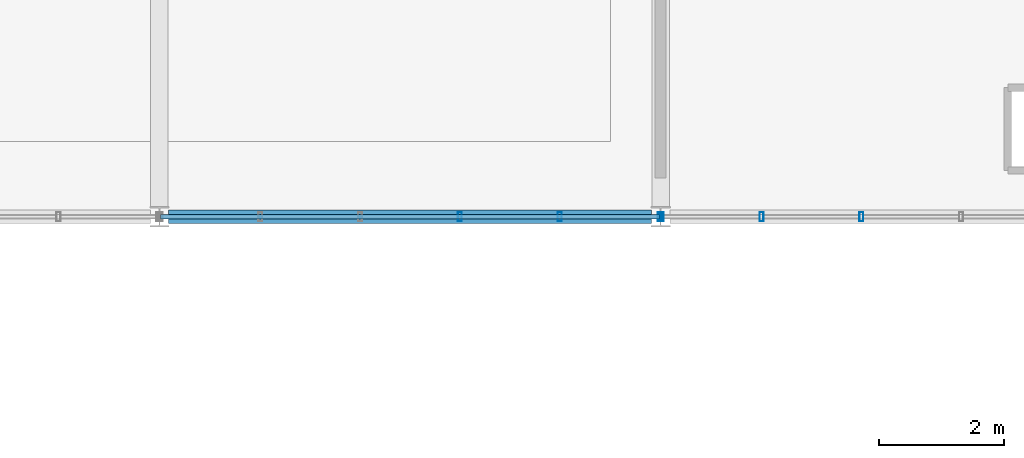
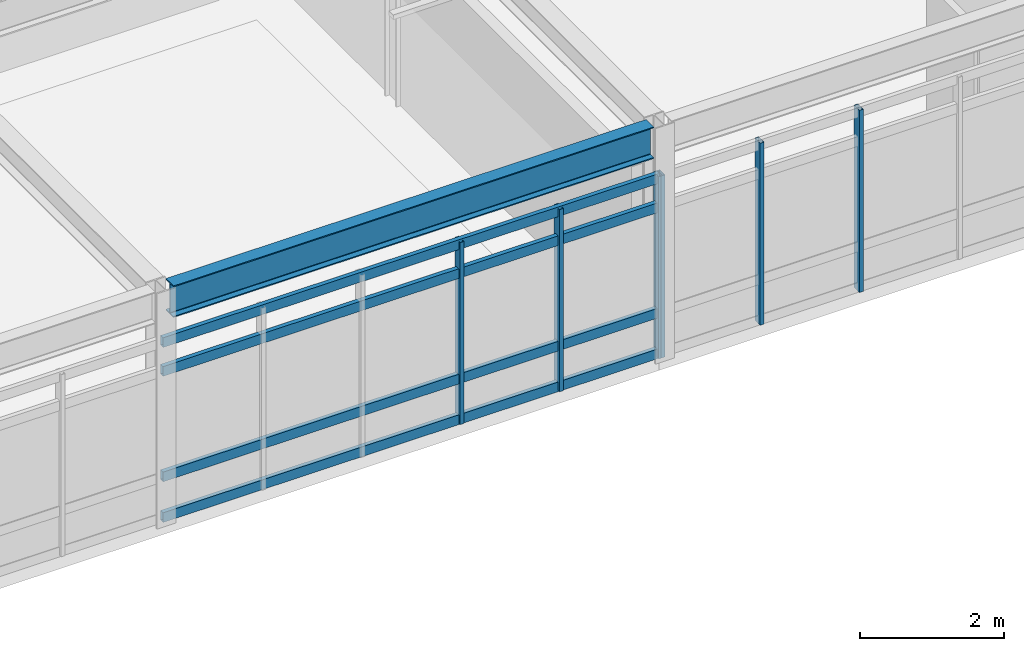
# One storey, part 50 of 85: 10 members, 1 beam, 2 elements without a shape of their own.
"""IFC4 building model written with IfcOpenShell, lengths in metres."""

from ifc_helpers import new_model, si_unit, direction, frame, origin, origin_2d, place, context, subcontext, project, spatial, hollow_rectangle, i_section, extrude, material, material_profile, profile_set, type_object, element, aggregate, save


model = new_model("IFC4")

# Units and contexts
model_context = context("Model", 3, precision=1e-05, world=origin(), true_north=direction((0.0, 1.0)))
body_context = subcontext(model_context, "Body", "Model", "MODEL_VIEW")
ifc_project = project(units=[si_unit("LENGTHUNIT", "METRE"), si_unit("AREAUNIT", "SQUARE_METRE"), si_unit("VOLUMEUNIT", "CUBIC_METRE"), si_unit("PLANEANGLEUNIT", "RADIAN"), si_unit("MASSUNIT", "GRAM", prefix="KILO")], contexts=[model_context])

# Site, building, storey
site_placement = place(None, origin())
site = spatial("IfcSite", under=ifc_project, at=site_placement, CompositionType="ELEMENT")
building_placement = place(site_placement, origin())
building = spatial("IfcBuilding", under=site, at=building_placement, Name="Zulena Civic Courthouse", CompositionType="ELEMENT")
storey_placement = place(building_placement, frame((0.0, 0.0, 25.199951171875)))
storey = spatial("IfcBuildingStorey", under=building, at=storey_placement, Name="L05", CompositionType="ELEMENT", Elevation=25.199951171875)

# Curtain wall, members
ifc_material_1 = material(Name="Double-silver low-E laminated solar-control glass", Category="glass")
curtain_wall_type = type_object("IfcCurtainWallType", Name="CW_7964x3090", PredefinedType="USERDEFINED", material=ifc_material_1)
curtain_wall_1_placement = place(storey_placement, origin())
curtain_wall_1 = element("IfcCurtainWall", 1, at=curtain_wall_1_placement, inside=storey, type_object=curtain_wall_type, Name="cw:V3:L05:3:1", ObjectType="UNITISED CURTAIN WALL", PredefinedType="USERDEFINED")
ifc_material_2 = material(Name="Bronze anodised thermally broken aluminium AA6063-T6", Category="aluminium")
ifc_material_profile_1 = material_profile(ifc_material_2, hollow_rectangle(XDim=0.06494140625, YDim=0.14990234375, WallThickness=0.00390625, at=origin_2d()), Name="CWM150X65X4")
ifc_profile_set_1 = profile_set([ifc_material_profile_1], Name="Bronze anodised thermally broken aluminium AA6063-T6")
member_type_1 = type_object("IfcMemberType", Name="CWMullion_150x65", PredefinedType="MULLION", material=ifc_profile_set_1)
member_1_placement = place(storey_placement, frame((151.20361328125, 30.800048828125, 0.0), z_axis=(0.0, 0.0, 1.0), x_axis=(1.0, 0.0, 0.0)))
member_1 = element("IfcMember", 2, at=member_1_placement, type_object=member_type_1, Name="cw:V3:L05:3:1:mull:3", PredefinedType="MULLION", context=body_context, shape_type="SweptSolid", body=[
    extrude(hollow_rectangle(XDim=0.06494140625, YDim=0.14990234375, WallThickness=0.00390625, at=origin_2d()), origin(), (0.0, 0.0, 1.0), 3.090087890625),
])
member_2_placement = place(storey_placement, frame((149.61083984375, 30.800048828125, 0.0), z_axis=(0.0, 0.0, 1.0), x_axis=(1.0, 0.0, 0.0)))
member_2 = element("IfcMember", 3, at=member_2_placement, type_object=member_type_1, Name="cw:V3:L05:3:1:mull:4", PredefinedType="MULLION", context=body_context, shape_type="SweptSolid", body=[
    extrude(hollow_rectangle(XDim=0.06494140625, YDim=0.14990234375, WallThickness=0.00390625, at=origin_2d()), origin(), (0.0, 0.0, 1.0), 3.090087890625),
])
member_3_placement = place(storey_placement, frame((148.01806640625, 30.800048828125, 0.0), z_axis=(0.0, 0.0, 1.0), x_axis=(1.0, 0.0, 0.0)))
member_3 = element("IfcMember", 4, at=member_3_placement, type_object=member_type_1, Name="cw:V3:L05:3:1:mull:5", PredefinedType="MULLION", context=body_context, shape_type="SweptSolid", body=[
    extrude(hollow_rectangle(XDim=0.06494140625, YDim=0.14990234375, WallThickness=0.00390625, at=origin_2d()), origin(), (0.0, 0.0, 1.0), 3.090087890625),
])
aggregate(curtain_wall_1, [member_1, member_2, member_3])

curtain_wall_2_placement = place(storey_placement, origin())
curtain_wall_2 = element("IfcCurtainWall", 5, at=curtain_wall_2_placement, inside=storey, type_object=curtain_wall_type, Name="cw:V3:L05:3:2", ObjectType="UNITISED CURTAIN WALL", PredefinedType="USERDEFINED")
member_4_placement = place(storey_placement, frame((147.98193359375, 30.800048828125, 0.0), z_axis=(0.0, 0.0, 1.0), x_axis=(1.0, 0.0, 0.0)))
member_4 = element("IfcMember", 6, at=member_4_placement, type_object=member_type_1, Name="cw:V3:L05:3:2:mull:0", PredefinedType="MULLION", context=body_context, shape_type="SweptSolid", body=[
    extrude(hollow_rectangle(XDim=0.06494140625, YDim=0.14990234375, WallThickness=0.00390625, at=origin_2d()), origin(), (0.0, 0.0, 1.0), 3.090087890625),
])
member_5_placement = place(storey_placement, frame((146.38916015625, 30.800048828125, 0.0), z_axis=(0.0, 0.0, 1.0), x_axis=(1.0, 0.0, 0.0)))
member_5 = element("IfcMember", 7, at=member_5_placement, type_object=member_type_1, Name="cw:V3:L05:3:2:mull:1", PredefinedType="MULLION", context=body_context, shape_type="SweptSolid", body=[
    extrude(hollow_rectangle(XDim=0.06494140625, YDim=0.14990234375, WallThickness=0.00390625, at=origin_2d()), origin(), (0.0, 0.0, 1.0), 3.090087890625),
])
member_6_placement = place(storey_placement, frame((144.79638671875, 30.800048828125, 0.0), z_axis=(0.0, 0.0, 1.0), x_axis=(1.0, 0.0, 0.0)))
member_6 = element("IfcMember", 8, at=member_6_placement, type_object=member_type_1, Name="cw:V3:L05:3:2:mull:2", PredefinedType="MULLION", context=body_context, shape_type="SweptSolid", body=[
    extrude(hollow_rectangle(XDim=0.06494140625, YDim=0.14990234375, WallThickness=0.00390625, at=origin_2d()), origin(), (0.0, 0.0, 1.0), 3.090087890625),
])
ifc_material_profile_2 = material_profile(ifc_material_2, hollow_rectangle(XDim=0.070068359375, YDim=0.1650390625, WallThickness=0.00390625, at=origin_2d()), Name="CWT165X70X4")
ifc_profile_set_2 = profile_set([ifc_material_profile_2], Name="Bronze anodised thermally broken aluminium AA6063-T6")
member_type_2 = type_object("IfcMemberType", Name="CWTransom_165x70", PredefinedType="USERDEFINED", material=ifc_profile_set_2)
member_7_placement = place(storey_placement, frame((147.98193359375, 30.800048828125, 0.06005859375), z_axis=(-1.0, 0.0, 0.0), x_axis=(0.0, -1.0, 0.0)))
member_7 = element("IfcMember", 9, at=member_7_placement, type_object=member_type_2, Name="cw:V3:L05:3:2:tran:0", ObjectType="TRANSOM", PredefinedType="USERDEFINED", context=body_context, shape_type="SweptSolid", body=[
    extrude(hollow_rectangle(XDim=0.070068359375, YDim=0.1650390625, WallThickness=0.00390625, at=origin_2d()), origin(), (0.0, 0.0, 1.0), 7.9638671875),
])
member_8_placement = place(storey_placement, frame((147.98193359375, 30.800048828125, 0.75), z_axis=(-1.0, 0.0, 0.0), x_axis=(0.0, -1.0, 0.0)))
member_8 = element("IfcMember", 10, at=member_8_placement, type_object=member_type_2, Name="cw:V3:L05:3:2:tran:1", ObjectType="TRANSOM", PredefinedType="USERDEFINED", context=body_context, shape_type="SweptSolid", body=[
    extrude(hollow_rectangle(XDim=0.070068359375, YDim=0.1650390625, WallThickness=0.00390625, at=origin_2d()), origin(), (0.0, 0.0, 1.0), 7.9638671875),
])
member_9_placement = place(storey_placement, frame((147.98193359375, 30.800048828125, 2.5400390625), z_axis=(-1.0, 0.0, 0.0), x_axis=(0.0, -1.0, 0.0)))
member_9 = element("IfcMember", 11, at=member_9_placement, type_object=member_type_2, Name="cw:V3:L05:3:2:tran:2", ObjectType="TRANSOM", PredefinedType="USERDEFINED", context=body_context, shape_type="SweptSolid", body=[
    extrude(hollow_rectangle(XDim=0.070068359375, YDim=0.1650390625, WallThickness=0.00390625, at=origin_2d()), origin(), (0.0, 0.0, 1.0), 7.9638671875),
])
member_10_placement = place(storey_placement, frame((147.98193359375, 30.800048828125, 3.030029296875), z_axis=(-1.0, 0.0, 0.0), x_axis=(0.0, -1.0, 0.0)))
member_10 = element("IfcMember", 12, at=member_10_placement, type_object=member_type_2, Name="cw:V3:L05:3:2:tran:3", ObjectType="TRANSOM", PredefinedType="USERDEFINED", context=body_context, shape_type="SweptSolid", body=[
    extrude(hollow_rectangle(XDim=0.070068359375, YDim=0.1650390625, WallThickness=0.00390625, at=origin_2d()), origin(), (0.0, 0.0, 1.0), 7.9638671875),
])
aggregate(curtain_wall_2, [member_4, member_5, member_6, member_7, member_8, member_9, member_10])

# Beam
ifc_material_3 = material(Name="Steel ASTM A992 Grade 50", Category="steel")
ifc_material_profile_3 = material_profile(ifc_material_3, i_section(OverallWidth=0.2099609375, OverallDepth=0.537109375, WebThickness=0.010986328125, FlangeThickness=0.017333984375, FilletRadius=0.0126953125, at=origin_2d()), Name="W21X68")
ifc_profile_set_3 = profile_set([ifc_material_profile_3], Name="Steel ASTM A992 Grade 50")
beam_type = type_object("IfcBeamType", Name="Spandrel_W21X68", PredefinedType="SPANDREL", material=ifc_profile_set_3)
beam_placement = place(storey_placement, frame((140.14501953125, 30.800048828125, 3.721435546875), z_axis=(1.0, 0.0, 0.0), x_axis=(0.0, 1.0, 0.0)))
element("IfcBeam", 13, at=beam_placement, inside=storey, type_object=beam_type, Name="beam:X:V3:L05:30.8:140.0_148.0", PredefinedType="SPANDREL", context=body_context, shape_type="SweptSolid", body=[
    extrude(i_section(OverallWidth=0.2099609375, OverallDepth=0.537109375, WebThickness=0.010986328125, FlangeThickness=0.017333984375, FilletRadius=0.0126953125, at=origin_2d()), origin(), (0.0, 0.0, 1.0), 7.7099609375),
])

save(model, "model.ifc")
